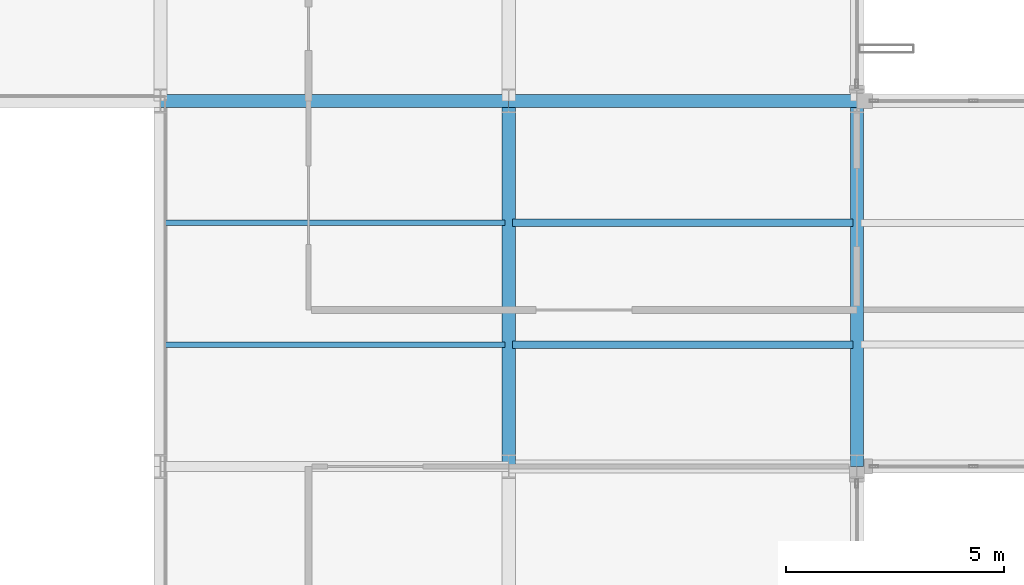
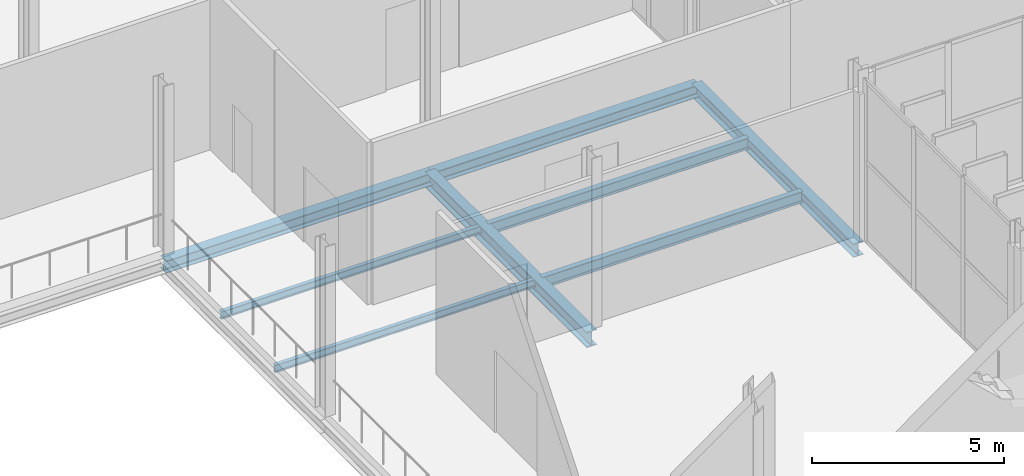
# One storey, part 57 of 147: 8 beams.
"""IFC4 building model written with IfcOpenShell, lengths in metres."""

from ifc_helpers import new_model, si_unit, direction, frame, origin, origin_2d, place, context, subcontext, project, spatial, i_section, extrude, material, material_profile, profile_set, type_object, element, save


model = new_model("IFC4")

# Units and contexts
model_context = context("Model", 3, precision=1e-05, world=origin(), true_north=direction((0.0, 1.0)))
body_context = subcontext(model_context, "Body", "Model", "MODEL_VIEW")
ifc_project = project(units=[si_unit("LENGTHUNIT", "METRE"), si_unit("AREAUNIT", "SQUARE_METRE"), si_unit("VOLUMEUNIT", "CUBIC_METRE"), si_unit("PLANEANGLEUNIT", "RADIAN"), si_unit("MASSUNIT", "GRAM", prefix="KILO")], contexts=[model_context])

# Site, building, storey
site_placement = place(None, origin())
site = spatial("IfcSite", under=ifc_project, at=site_placement, CompositionType="ELEMENT")
building_placement = place(site_placement, origin())
building = spatial("IfcBuilding", under=site, at=building_placement, Name="Vekula Escarpment Museum", CompositionType="ELEMENT")
storey_placement = place(building_placement, frame((0.0, 0.0, 7.800048828125)))
storey = spatial("IfcBuildingStorey", under=building, at=storey_placement, Name="L02", CompositionType="ELEMENT", Elevation=7.800048828125)

# Beams
ifc_material_1 = material(Name="Steel S355", Category="steel")
ifc_material_profile_1 = material_profile(ifc_material_1, i_section(OverallWidth=0.300048828125, OverallDepth=0.5, WebThickness=0.014404296875, FlangeThickness=0.028076171875, FilletRadius=0.027099609375, at=origin_2d()), Name="HEB 500")
ifc_profile_set_1 = profile_set([ifc_material_profile_1], Name="Steel S355")
beam_type_1 = type_object("IfcBeamType", Name="BM-GIRD-HEB500", PredefinedType="BEAM", material=ifc_profile_set_1)
beam_1_placement = place(storey_placement, frame((118.0, 68.0, -0.510009765625), z_axis=(0.0, 1.0, 0.0), x_axis=(-1.0, 0.0, 0.0)))
element("IfcBeam", 1, at=beam_1_placement, inside=storey, type_object=beam_type_1, Name="Beam Y L02 1198", PredefinedType="BEAM", context=body_context, shape_type="SweptSolid", body=[
    extrude(i_section(OverallWidth=0.300048828125, OverallDepth=0.5, WebThickness=0.014404296875, FlangeThickness=0.028076171875, FilletRadius=0.027099609375, at=origin_2d()), origin(), (0.0, 0.0, 1.0), 8.39990234375),
])
ifc_material_2 = material(Name="Steel S355", Category="steel")
ifc_material_profile_2 = material_profile(ifc_material_2, i_section(OverallWidth=0.1201171875, OverallDepth=0.239990234375, WebThickness=0.006103515625, FlangeThickness=0.009765625, FilletRadius=0.014892578125, at=origin_2d()), Name="IPE 240")
ifc_profile_set_2 = profile_set([ifc_material_profile_2], Name="Steel S355")
beam_type_2 = type_object("IfcBeamType", Name="BM-JST-IPE240", PredefinedType="JOIST", material=ifc_profile_set_2)
for number, where, z_axis, x_axis, name in (
    (2, (110.090087890625, 70.800048828125, -0.380126953125), (1.0, 0.0, 0.0), (0.0, 1.0, 0.0), "Secondary Joist L02 0810"),
    (3, (110.090087890625, 73.60009765625, -0.380126953125), (1.0, 0.0, 0.0), (0.0, 1.0, 0.0), "Secondary Joist L02 0811"),
):
    element("IfcBeam", number, at=place(storey_placement, frame(where, z_axis=z_axis, x_axis=x_axis)), inside=storey, type_object=beam_type_2, Name=name, PredefinedType="JOIST", context=body_context, shape_type="SweptSolid", body=[
        extrude(i_section(OverallWidth=0.1201171875, OverallDepth=0.239990234375, WebThickness=0.006103515625, FlangeThickness=0.009765625, FilletRadius=0.014892578125, at=origin_2d()), origin(), (0.0, 0.0, 1.0), 7.81982421875),
    ])
ifc_material_3 = material(Name="Steel S355", Category="steel")
ifc_material_profile_3 = material_profile(ifc_material_3, i_section(OverallWidth=0.169921875, OverallDepth=0.360107421875, WebThickness=0.008056640625, FlangeThickness=0.0126953125, FilletRadius=0.01806640625, at=origin_2d()), Name="IPE 360")
ifc_profile_set_3 = profile_set([ifc_material_profile_3], Name="Steel S355")
beam_type_3 = type_object("IfcBeamType", Name="BM-JST-IPE360", PredefinedType="JOIST", material=ifc_profile_set_3)
for number, where, z_axis, x_axis, name in (
    (4, (118.090087890625, 70.800048828125, -0.43994140625), (1.0, 0.0, 0.0), (0.0, 1.0, 0.0), "Secondary Joist L02 0819"),
    (5, (118.090087890625, 73.60009765625, -0.43994140625), (1.0, 0.0, 0.0), (0.0, 1.0, 0.0), "Secondary Joist L02 0820"),
):
    element("IfcBeam", number, at=place(storey_placement, frame(where, z_axis=z_axis, x_axis=x_axis)), inside=storey, type_object=beam_type_3, Name=name, PredefinedType="JOIST", context=body_context, shape_type="SweptSolid", body=[
        extrude(i_section(OverallWidth=0.169921875, OverallDepth=0.360107421875, WebThickness=0.008056640625, FlangeThickness=0.0126953125, FilletRadius=0.01806640625, at=origin_2d()), origin(), (0.0, 0.0, 1.0), 7.81982421875),
    ])
ifc_material_4 = material(Name="Steel S355", Category="steel")
ifc_material_profile_4 = material_profile(ifc_material_4, i_section(OverallWidth=0.300048828125, OverallDepth=0.389892578125, WebThickness=0.010986328125, FlangeThickness=0.01904296875, FilletRadius=0.027099609375, at=origin_2d()), Name="HEA 400")
ifc_profile_set_4 = profile_set([ifc_material_profile_4], Name="Steel S355")
beam_type_4 = type_object("IfcBeamType", Name="BM-SPAN-HEA400", PredefinedType="SPANDREL", material=ifc_profile_set_4)
for number, where, z_axis, x_axis, name in (
    (6, (110.0, 76.39990234375, -0.455078125), (1.0, 0.0, 0.0), (0.0, 1.0, 0.0), "Beam X L02 0922"),
    (7, (118.0, 76.39990234375, -0.455078125), (1.0, 0.0, 0.0), (0.0, 1.0, 0.0), "Beam X L02 0923"),
):
    element("IfcBeam", number, at=place(storey_placement, frame(where, z_axis=z_axis, x_axis=x_axis)), inside=storey, type_object=beam_type_4, Name=name, PredefinedType="SPANDREL", context=body_context, shape_type="SweptSolid", body=[
        extrude(i_section(OverallWidth=0.300048828125, OverallDepth=0.389892578125, WebThickness=0.010986328125, FlangeThickness=0.01904296875, FilletRadius=0.027099609375, at=origin_2d()), origin(), (0.0, 0.0, 1.0), 8.0),
    ])
ifc_material_5 = material(Name="Steel S355", Category="steel")
ifc_material_profile_5 = material_profile(ifc_material_5, i_section(OverallWidth=0.300048828125, OverallDepth=0.43994140625, WebThickness=0.011474609375, FlangeThickness=0.02099609375, FilletRadius=0.027099609375, at=origin_2d()), Name="HEA 450")
ifc_profile_set_5 = profile_set([ifc_material_profile_5], Name="Steel S355")
beam_type_5 = type_object("IfcBeamType", Name="BM-SPAN-HEA450", PredefinedType="SPANDREL", material=ifc_profile_set_5)
beam_2_placement = place(storey_placement, frame((126.0, 68.0, -0.47998046875), z_axis=(0.0, 1.0, 0.0), x_axis=(-1.0, 0.0, 0.0)))
element("IfcBeam", 8, at=beam_2_placement, inside=storey, type_object=beam_type_5, Name="Beam Y L02 1205", PredefinedType="SPANDREL", context=body_context, shape_type="SweptSolid", body=[
    extrude(i_section(OverallWidth=0.300048828125, OverallDepth=0.43994140625, WebThickness=0.011474609375, FlangeThickness=0.02099609375, FilletRadius=0.027099609375, at=origin_2d()), origin(), (0.0, 0.0, 1.0), 8.39990234375),
])

save(model, "model.ifc")
